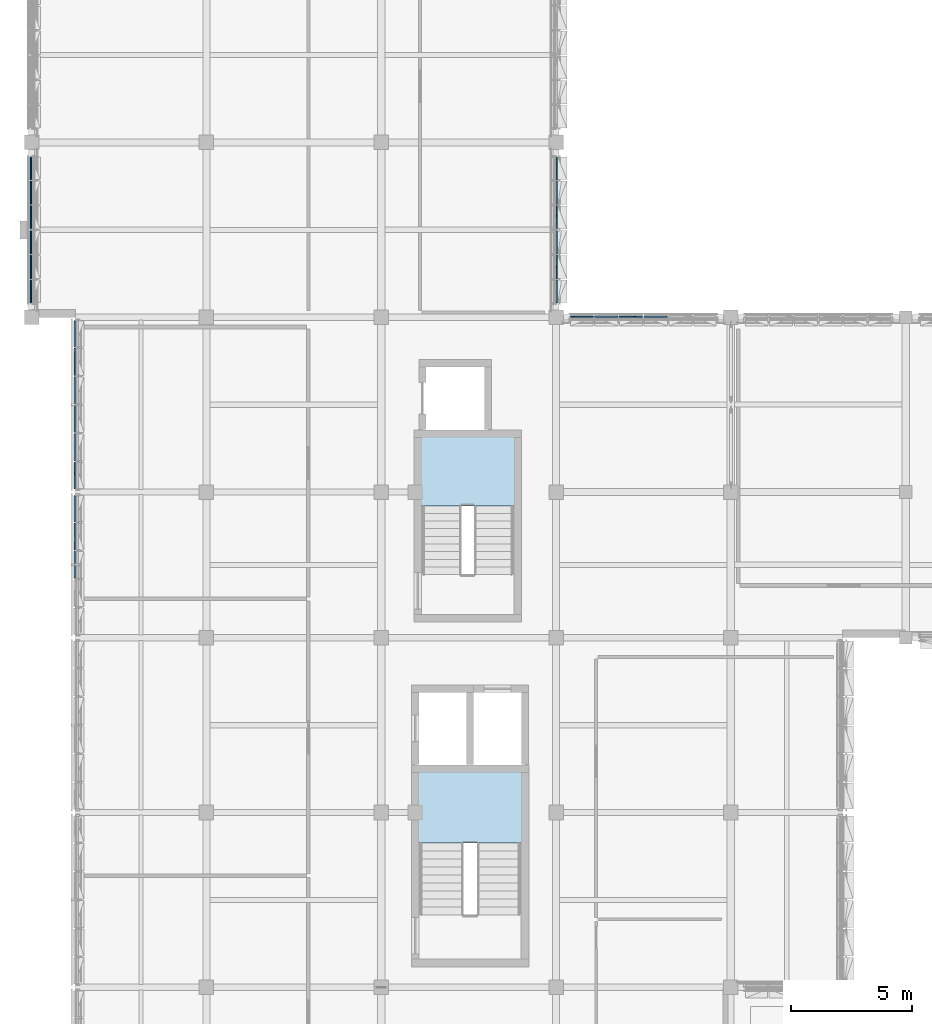
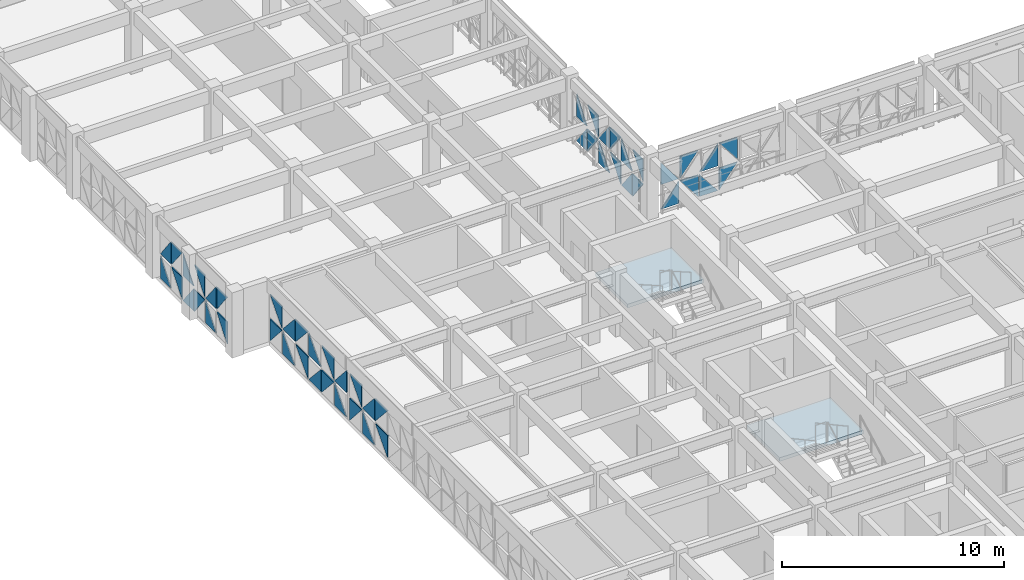
# One storey, part 27 of 74: 50 plates, 2 slabs, 7 elements without a shape of their own.
"""IFC4 building model written with IfcOpenShell, lengths in metres."""

import ifcopenshell
import ifcopenshell.guid

model = None  # the IFC model being written
_history = None  # IfcOwnerHistory: only IFC2X3 demands one
_inside = {}  # id of a spatial element -> (the spatial element, [elements in it])
_under = {}  # id of a project, library or spatial element -> (it, [spatial elements below it])
_declared = {}  # id of a project -> (the project, [libraries it declares])
_typed = {}  # id of a type object -> (the type object, [elements of that type])
_made_of = {}  # id of a material, layer set ... -> (it, [elements and type objects made of it])


def new_model(schema):
    """Start an empty IFC model of exactly this schema.

    Asked for "IFC4X3", IfcOpenShell would pick the latest addendum, in which some entities
    have other attributes; the version numbers below select the first issue.
    IFC2X3 requires an IfcOwnerHistory on every rooted entity: one is made here for all.
    """
    global model, _history
    if schema == "IFC4X3":
        model = ifcopenshell.file(schema_version=(4, 3, 0, 0))
    else:
        model = ifcopenshell.file(schema=schema)
    _inside.clear()
    _under.clear()
    _declared.clear()
    _typed.clear()
    _made_of.clear()
    _history = None
    if model.schema == "IFC2X3":
        org = make("IfcOrganization", Name="unknown")
        user = make(
            "IfcPersonAndOrganization",
            ThePerson=make("IfcPerson", FamilyName="unknown"),
            TheOrganization=org,
        )
        app = make(
            "IfcApplication",
            ApplicationDeveloper=org,
            Version="unknown",
            ApplicationFullName="unknown",
            ApplicationIdentifier="unknown",
        )
        _history = make(
            "IfcOwnerHistory",
            OwningUser=user,
            OwningApplication=app,
            ChangeAction="ADDED",
            CreationDate=0,
        )
    return model


def make(cls, **values):
    """One entity of the class cls with the attributes given. An attribute that is None is left unset."""
    return model.create_entity(
        cls, **{name: value for name, value in values.items() if value is not None}
    )


def rooted(cls, **values):
    """An entity with a GlobalId (a new one), such as an element, a storey or a relation."""
    return make(cls, GlobalId=ifcopenshell.guid.new(), OwnerHistory=_history, **values)


def si_unit(unit_type, name, prefix=None):
    """IfcSIUnit, for example si_unit("LENGTHUNIT", "METRE", prefix="MILLI")."""
    return make("IfcSIUnit", UnitType=unit_type, Prefix=prefix, Name=name)


def assignment(units):
    """IfcUnitAssignment: the units of a project."""
    return None if units is None else make("IfcUnitAssignment", Units=units)


def point(xyz):
    """IfcCartesianPoint."""
    return None if xyz is None else make("IfcCartesianPoint", Coordinates=xyz)


def direction(xyz):
    """IfcDirection."""
    return None if xyz is None else make("IfcDirection", DirectionRatios=xyz)


def frame(location, z_axis=None, x_axis=None):
    """IfcAxis2Placement3D, a coordinate frame: its origin and axes. An axis left out is left unset."""
    return make(
        "IfcAxis2Placement3D",
        Location=point(location),
        Axis=direction(z_axis),
        RefDirection=direction(x_axis),
    )


def origin():
    """The frame at (0, 0, 0) with its axes left unset."""
    return frame((0.0, 0.0, 0.0))


def place(relative_to, where):
    """IfcLocalPlacement: puts the frame where relative to a parent placement (None: the world)."""
    return make(
        "IfcLocalPlacement", PlacementRelTo=relative_to, RelativePlacement=where
    )


def context(
    kind, dimensions, precision=None, world=None, true_north=None, identifier=None
):
    """IfcGeometricRepresentationContext, for example the 3D "Model" context."""
    return make(
        "IfcGeometricRepresentationContext",
        ContextIdentifier=identifier,
        ContextType=kind,
        CoordinateSpaceDimension=dimensions,
        Precision=precision,
        WorldCoordinateSystem=world,
        TrueNorth=true_north,
    )


def subcontext(parent, identifier, kind, view, scale=None):
    """IfcGeometricRepresentationSubContext, for example "Body" below "Model"."""
    return make(
        "IfcGeometricRepresentationSubContext",
        ContextIdentifier=identifier,
        ContextType=kind,
        ParentContext=parent,
        TargetScale=scale,
        TargetView=view,
    )


def project(units=None, contexts=None):
    """IfcProject with its units and contexts."""
    return rooted(
        "IfcProject",
        Name="project",
        RepresentationContexts=contexts,
        UnitsInContext=assignment(units),
    )


def spatial(cls, under=None, at=None, **own):
    """A site, building, storey or space (cls), placed at a placement, below another one or the project."""
    s = rooted(cls, ObjectPlacement=at, **own)
    if under is not None:
        _under.setdefault(under.id(), (under, []))[1].append(s)
    return s


def polyline(points):
    """IfcPolyline through the points."""
    return make("IfcPolyline", Points=[point(p) for p in points])


def outline(outer, holes=None, kind="AREA"):
    """IfcArbitraryClosedProfileDef: a profile drawn as a closed curve; with holes, ...WithVoids."""
    if holes is None:
        return make("IfcArbitraryClosedProfileDef", ProfileType=kind, OuterCurve=outer)
    return make(
        "IfcArbitraryProfileDefWithVoids",
        ProfileType=kind,
        OuterCurve=outer,
        InnerCurves=holes,
    )


def extrude(swept, where, along, depth):
    """IfcExtrudedAreaSolid: the profile swept, set in the frame where, extruded along a direction by depth."""
    return make(
        "IfcExtrudedAreaSolid",
        SweptArea=swept,
        Position=where,
        ExtrudedDirection=direction(along),
        Depth=depth,
    )


def shape(context_of_items, identifier, shape_type, items):
    """IfcShapeRepresentation: the items that make up one representation, for example the "Body"."""
    return make(
        "IfcShapeRepresentation",
        ContextOfItems=context_of_items,
        RepresentationIdentifier=identifier,
        RepresentationType=shape_type,
        Items=items,
    )


def material(Name=None, Category=None):
    """IfcMaterial."""
    return make("IfcMaterial", Name=Name, Category=Category)


def layer(
    of_material, thickness, ventilated=None, Name=None, Category=None, Priority=None
):
    """IfcMaterialLayer: one layer of a wall or slab, of a material (None: an air gap)."""
    return make(
        "IfcMaterialLayer",
        Material=of_material,
        LayerThickness=thickness,
        IsVentilated=ventilated,
        Name=Name,
        Category=Category,
        Priority=Priority,
    )


def layer_set(layers, Name=None):
    """IfcMaterialLayerSet."""
    return make("IfcMaterialLayerSet", MaterialLayers=layers, LayerSetName=Name)


def made_of(thing, what):
    """Note that an element or type object is made of a material, layer set ...; save() writes the relation."""
    if what is not None:
        _made_of.setdefault(what.id(), (what, []))[1].append(thing)
    return thing


def type_object(cls, material=None, **own):
    """A type object (cls), such as IfcWallType, which elements share."""
    return made_of(rooted(cls, **own), material)


def element(
    cls,
    number,
    at=None,
    inside=None,
    cuts=None,
    type_object=None,
    material=None,
    context=None,
    identifier="Body",
    shape_type=None,
    held_by="IfcProductDefinitionShape",
    body=None,
    shapes=None,
    **own,
):
    """One element of the class cls, such as IfcWall. Its Tag is "e" and its number.

    at: its placement. inside: the storey or other place that contains it. cuts: it is an
    opening in that element (IfcRelVoidsElement). A single representation is given by context,
    identifier, shape_type and body (its items); several are given by shapes. held_by: the class
    of the entity that holds the representations. save() writes the other relations.
    """
    e = rooted(cls, Tag="e%d" % number, ObjectPlacement=at, **own)
    if body is not None:
        shapes = [shape(context, identifier, shape_type, body)]
    if shapes is not None:
        e.Representation = make(held_by, Representations=shapes)
    if inside is not None:
        _inside.setdefault(inside.id(), (inside, []))[1].append(e)
    if cuts is not None:
        rooted(
            "IfcRelVoidsElement", RelatingBuildingElement=cuts, RelatedOpeningElement=e
        )
    if type_object is not None:
        _typed.setdefault(type_object.id(), (type_object, []))[1].append(e)
    return made_of(e, material)


def aggregate(whole, parts):
    """IfcRelAggregates: a whole, such as a stair, and the parts it consists of."""
    return rooted("IfcRelAggregates", RelatingObject=whole, RelatedObjects=parts)


def save(model, path):
    """Write the relations noted so far, then the file.

    IfcRelAggregates (storeys below a building ...), IfcRelContainedInSpatialStructure (elements
    in a storey), IfcRelDefinesByType, IfcRelAssociatesMaterial and IfcRelDeclares: one each for
    every whole, place, type object, material and project.
    """
    for whole, parts in _under.values():
        aggregate(whole, parts)
    for where, things in _inside.values():
        rooted(
            "IfcRelContainedInSpatialStructure",
            RelatedElements=things,
            RelatingStructure=where,
        )
    for kind, things in _typed.values():
        rooted("IfcRelDefinesByType", RelatedObjects=things, RelatingType=kind)
    for what, things in _made_of.values():
        rooted("IfcRelAssociatesMaterial", RelatedObjects=things, RelatingMaterial=what)
    for by, libraries in _declared.values():
        rooted("IfcRelDeclares", RelatingContext=by, RelatedDefinitions=libraries)
    model.write(path)


model = new_model("IFC4")

# Units and contexts
model_context = context("Model", 3, precision=1e-05, world=origin(), true_north=direction((0.0, 1.0)))
body_context = subcontext(model_context, "Body", "Model", "MODEL_VIEW")
ifc_project = project(units=[si_unit("LENGTHUNIT", "METRE"), si_unit("AREAUNIT", "SQUARE_METRE"), si_unit("VOLUMEUNIT", "CUBIC_METRE"), si_unit("PLANEANGLEUNIT", "RADIAN"), si_unit("MASSUNIT", "GRAM", prefix="KILO")], contexts=[model_context])

# Site, building, storey
site_placement = place(None, origin())
site = spatial("IfcSite", under=ifc_project, at=site_placement, CompositionType="ELEMENT")
building_placement = place(site_placement, origin())
building = spatial("IfcBuilding", under=site, at=building_placement, Name="Alvorim Cloister Faculty of Sciences", CompositionType="ELEMENT")
storey_placement = place(building_placement, frame((0.0, 0.0, 15.75)))
storey = spatial("IfcBuildingStorey", under=building, at=storey_placement, Name="L04", CompositionType="ELEMENT", Elevation=15.75)

# Curtain wall, plates
ifc_material_1 = material(Name="Aluminium and Low-E Glass Curtain Wall", Category="aluminium")
curtain_wall_type_1 = type_object("IfcCurtainWallType", Name="CW-TRI-5840x2857", PredefinedType="USERDEFINED", material=ifc_material_1)
curtain_wall_1_placement = place(storey_placement, origin())
curtain_wall_1 = element("IfcCurtainWall", 1, at=curtain_wall_1_placement, inside=storey, type_object=curtain_wall_type_1, Name="L04 Diagonal Cassette Curtain Wall CW-0168", ObjectType="UNITISED CURTAIN WALL", PredefinedType="USERDEFINED")
ifc_material_2 = material(Name="Double Low-E Laminated Glass", Category="glass")
ifc_layer_1 = layer(ifc_material_2, 0.0400390625)
ifc_layer_set_1 = layer_set([ifc_layer_1], Name="Double Low-E Laminated Glass")
plate_type = type_object("IfcPlateType", Name="PN-GLZ-40", PredefinedType="CURTAIN_PANEL", material=ifc_layer_set_1)
plate_1_placement = place(storey_placement, frame((1.77490234375, 45.6484375, 0.139892578125), z_axis=(0.0, 0.0, 1.0), x_axis=(0.0, 1.0, 0.0)))
plate_1 = element("IfcPlate", 2, at=plate_1_placement, type_object=plate_type, Name="Diagonal Glazed Triangle TRI-TL", PredefinedType="CURTAIN_PANEL", context=body_context, shape_type="SweptSolid", body=[
    extrude(outline(polyline([(1.10107421875, 1.218505859375), (0.0, 1.218505859375), (0.0, 0.001953125), (1.10107421875, 1.218505859375)])), frame((0.0, 0.02490234375, 0.0), z_axis=(0.0, -1.0, 0.0), x_axis=(1.0, 0.0, 0.0)), (0.0, 0.0, 1.0), 0.050048828125),
])
plate_2_placement = place(storey_placement, frame((1.77490234375, 45.6484375, 1.49853515625), z_axis=(0.0, 0.0, 1.0), x_axis=(0.0, 1.0, 0.0)))
plate_2 = element("IfcPlate", 3, at=plate_2_placement, type_object=plate_type, Name="Diagonal Glazed Triangle TRI-TR", PredefinedType="CURTAIN_PANEL", context=body_context, shape_type="SweptSolid", body=[
    extrude(outline(polyline([(1.10302734375, 0.001953125), (1.10302734375, 1.218505859375), (0.001953125, 1.218505859375), (1.10302734375, 0.001953125)])), frame((0.0, 0.02490234375, 0.0), z_axis=(0.0, -1.0, 0.0), x_axis=(1.0, 0.0, 0.0)), (0.0, 0.0, 1.0), 0.050048828125),
])
plate_3_placement = place(storey_placement, frame((1.77490234375, 46.81640625, 0.139892578125), z_axis=(0.0, 0.0, 1.0), x_axis=(0.0, 1.0, 0.0)))
plate_3 = element("IfcPlate", 4, at=plate_3_placement, type_object=plate_type, Name="Diagonal Glazed Triangle TRI-BR", PredefinedType="CURTAIN_PANEL", context=body_context, shape_type="SweptSolid", body=[
    extrude(outline(polyline([(0.001953125, 0.0), (1.10302734375, 0.0), (1.10302734375, 1.216552734375), (0.001953125, 0.0)])), frame((0.0, 0.02490234375, 0.0), z_axis=(0.0, -1.0, 0.0), x_axis=(1.0, 0.0, 0.0)), (0.0, 0.0, 1.0), 0.050048828125),
])
plate_4_placement = place(storey_placement, frame((1.77490234375, 46.81640625, 1.49853515625), z_axis=(0.0, 0.0, 1.0), x_axis=(0.0, 1.0, 0.0)))
plate_4 = element("IfcPlate", 5, at=plate_4_placement, type_object=plate_type, Name="Diagonal Glazed Triangle TRI-BL", PredefinedType="CURTAIN_PANEL", context=body_context, shape_type="SweptSolid", body=[
    extrude(outline(polyline([(0.0, 0.0), (1.10107421875, 0.0), (0.0, 1.216552734375), (0.0, 0.0)])), frame((0.0, 0.02490234375, 0.0), z_axis=(0.0, -1.0, 0.0), x_axis=(1.0, 0.0, 0.0)), (0.0, 0.0, 1.0), 0.050048828125),
])
plate_5_placement = place(storey_placement, frame((1.77490234375, 47.984619140625, 0.139892578125), z_axis=(0.0, 0.0, 1.0), x_axis=(0.0, 1.0, 0.0)))
plate_5 = element("IfcPlate", 6, at=plate_5_placement, type_object=plate_type, Name="Diagonal Glazed Triangle TRI-TR", PredefinedType="CURTAIN_PANEL", context=body_context, shape_type="SweptSolid", body=[
    extrude(outline(polyline([(1.070556640625, 0.001953125), (1.070556640625, 1.218505859375), (0.001953125, 1.218505859375), (1.070556640625, 0.001953125)])), frame((0.0, 0.02490234375, 0.0), z_axis=(0.0, -1.0, 0.0), x_axis=(1.0, 0.0, 0.0)), (0.0, 0.0, 1.0), 0.050048828125),
])
plate_6_placement = place(storey_placement, frame((1.77490234375, 47.984619140625, 1.49853515625), z_axis=(0.0, 0.0, 1.0), x_axis=(0.0, 1.0, 0.0)))
plate_6 = element("IfcPlate", 7, at=plate_6_placement, type_object=plate_type, Name="Diagonal Glazed Triangle TRI-TL", PredefinedType="CURTAIN_PANEL", context=body_context, shape_type="SweptSolid", body=[
    extrude(outline(polyline([(1.068603515625, 1.218505859375), (0.0, 1.218505859375), (0.0, 0.001953125), (1.068603515625, 1.218505859375)])), frame((0.0, 0.02490234375, 0.0), z_axis=(0.0, -1.0, 0.0), x_axis=(1.0, 0.0, 0.0)), (0.0, 0.0, 1.0), 0.050048828125),
])
aggregate(curtain_wall_1, [plate_1, plate_2, plate_3, plate_4, plate_5, plate_6])

curtain_wall_type_2 = type_object("IfcCurtainWallType", Name="CW-TRI-7040x2857", PredefinedType="USERDEFINED", material=ifc_material_1)
curtain_wall_2_placement = place(storey_placement, origin())
curtain_wall_2 = element("IfcCurtainWall", 8, at=curtain_wall_2_placement, inside=storey, type_object=curtain_wall_type_2, Name="L04 Diagonal Cassette Curtain Wall CW-0169", ObjectType="UNITISED CURTAIN WALL", PredefinedType="USERDEFINED")
plate_7_placement = place(storey_placement, frame((1.77490234375, 49.344970703125, 0.139892578125), z_axis=(0.0, 0.0, 1.0), x_axis=(0.0, 1.0, 0.0)))
plate_7 = element("IfcPlate", 9, at=plate_7_placement, type_object=plate_type, Name="Diagonal Glazed Triangle TRI-BR", PredefinedType="CURTAIN_PANEL", context=body_context, shape_type="SweptSolid", body=[
    extrude(outline(polyline([(0.001953125, 0.0), (1.075927734375, 0.0), (1.075927734375, 1.216552734375), (0.001953125, 0.0)])), frame((0.0, 0.02490234375, 0.0), z_axis=(0.0, -1.0, 0.0), x_axis=(1.0, 0.0, 0.0)), (0.0, 0.0, 1.0), 0.050048828125),
])
plate_8_placement = place(storey_placement, frame((1.77490234375, 49.344970703125, 1.49853515625), z_axis=(0.0, 0.0, 1.0), x_axis=(0.0, 1.0, 0.0)))
plate_8 = element("IfcPlate", 10, at=plate_8_placement, type_object=plate_type, Name="Diagonal Glazed Triangle TRI-BL", PredefinedType="CURTAIN_PANEL", context=body_context, shape_type="SweptSolid", body=[
    extrude(outline(polyline([(0.0, 0.0), (1.073974609375, 0.0), (0.0, 1.216552734375), (0.0, 0.0)])), frame((0.0, 0.02490234375, 0.0), z_axis=(0.0, -1.0, 0.0), x_axis=(1.0, 0.0, 0.0)), (0.0, 0.0, 1.0), 0.050048828125),
])
plate_9_placement = place(storey_placement, frame((1.77490234375, 50.48583984375, 0.139892578125), z_axis=(0.0, 0.0, 1.0), x_axis=(0.0, 1.0, 0.0)))
plate_9 = element("IfcPlate", 11, at=plate_9_placement, type_object=plate_type, Name="Diagonal Glazed Triangle TRI-TR", PredefinedType="CURTAIN_PANEL", context=body_context, shape_type="SweptSolid", body=[
    extrude(outline(polyline([(1.1083984375, 0.001953125), (1.1083984375, 1.218505859375), (0.001953125, 1.218505859375), (1.1083984375, 0.001953125)])), frame((0.0, 0.02490234375, 0.0), z_axis=(0.0, -1.0, 0.0), x_axis=(1.0, 0.0, 0.0)), (0.0, 0.0, 1.0), 0.050048828125),
])
plate_10_placement = place(storey_placement, frame((1.77490234375, 50.48583984375, 1.49853515625), z_axis=(0.0, 0.0, 1.0), x_axis=(0.0, 1.0, 0.0)))
plate_10 = element("IfcPlate", 12, at=plate_10_placement, type_object=plate_type, Name="Diagonal Glazed Triangle TRI-TL", PredefinedType="CURTAIN_PANEL", context=body_context, shape_type="SweptSolid", body=[
    extrude(outline(polyline([(1.1064453125, 1.218505859375), (0.0, 1.218505859375), (0.0, 0.001953125), (1.1064453125, 1.218505859375)])), frame((0.0, 0.02490234375, 0.0), z_axis=(0.0, -1.0, 0.0), x_axis=(1.0, 0.0, 0.0)), (0.0, 0.0, 1.0), 0.050048828125),
])
plate_11_placement = place(storey_placement, frame((1.77490234375, 51.6591796875, 0.139892578125), z_axis=(0.0, 0.0, 1.0), x_axis=(0.0, 1.0, 0.0)))
plate_11 = element("IfcPlate", 13, at=plate_11_placement, type_object=plate_type, Name="Diagonal Glazed Triangle TRI-BL", PredefinedType="CURTAIN_PANEL", context=body_context, shape_type="SweptSolid", body=[
    extrude(outline(polyline([(0.0, 0.0), (1.1064453125, 0.0), (0.0, 1.216552734375), (0.0, 0.0)])), frame((0.0, 0.02490234375, 0.0), z_axis=(0.0, -1.0, 0.0), x_axis=(1.0, 0.0, 0.0)), (0.0, 0.0, 1.0), 0.050048828125),
])
plate_12_placement = place(storey_placement, frame((1.77490234375, 51.6591796875, 1.49853515625), z_axis=(0.0, 0.0, 1.0), x_axis=(0.0, 1.0, 0.0)))
plate_12 = element("IfcPlate", 14, at=plate_12_placement, type_object=plate_type, Name="Diagonal Glazed Triangle TRI-BR", PredefinedType="CURTAIN_PANEL", context=body_context, shape_type="SweptSolid", body=[
    extrude(outline(polyline([(0.001953125, 0.0), (1.1083984375, 0.0), (1.1083984375, 1.216552734375), (0.001953125, 0.0)])), frame((0.0, 0.02490234375, 0.0), z_axis=(0.0, -1.0, 0.0), x_axis=(1.0, 0.0, 0.0)), (0.0, 0.0, 1.0), 0.050048828125),
])
plate_13_placement = place(storey_placement, frame((1.77490234375, 52.83251953125, 0.139892578125), z_axis=(0.0, 0.0, 1.0), x_axis=(0.0, 1.0, 0.0)))
plate_13 = element("IfcPlate", 15, at=plate_13_placement, type_object=plate_type, Name="Diagonal Glazed Triangle TRI-TL", PredefinedType="CURTAIN_PANEL", context=body_context, shape_type="SweptSolid", body=[
    extrude(outline(polyline([(1.1064453125, 1.218505859375), (0.0, 1.218505859375), (0.0, 0.001953125), (1.1064453125, 1.218505859375)])), frame((0.0, 0.02490234375, 0.0), z_axis=(0.0, -1.0, 0.0), x_axis=(1.0, 0.0, 0.0)), (0.0, 0.0, 1.0), 0.050048828125),
])
plate_14_placement = place(storey_placement, frame((1.77490234375, 52.83251953125, 1.49853515625), z_axis=(0.0, 0.0, 1.0), x_axis=(0.0, 1.0, 0.0)))
plate_14 = element("IfcPlate", 16, at=plate_14_placement, type_object=plate_type, Name="Diagonal Glazed Triangle TRI-TR", PredefinedType="CURTAIN_PANEL", context=body_context, shape_type="SweptSolid", body=[
    extrude(outline(polyline([(1.1083984375, 0.001953125), (1.1083984375, 1.218505859375), (0.001953125, 1.218505859375), (1.1083984375, 0.001953125)])), frame((0.0, 0.02490234375, 0.0), z_axis=(0.0, -1.0, 0.0), x_axis=(1.0, 0.0, 0.0)), (0.0, 0.0, 1.0), 0.050048828125),
])
plate_15_placement = place(storey_placement, frame((1.77490234375, 54.005859375, 0.139892578125), z_axis=(0.0, 0.0, 1.0), x_axis=(0.0, 1.0, 0.0)))
plate_15 = element("IfcPlate", 17, at=plate_15_placement, type_object=plate_type, Name="Diagonal Glazed Triangle TRI-BR", PredefinedType="CURTAIN_PANEL", context=body_context, shape_type="SweptSolid", body=[
    extrude(outline(polyline([(0.001953125, 0.0), (1.1083984375, 0.0), (1.1083984375, 1.216552734375), (0.001953125, 0.0)])), frame((0.0, 0.02490234375, 0.0), z_axis=(0.0, -1.0, 0.0), x_axis=(1.0, 0.0, 0.0)), (0.0, 0.0, 1.0), 0.050048828125),
])
plate_16_placement = place(storey_placement, frame((1.77490234375, 54.005859375, 1.49853515625), z_axis=(0.0, 0.0, 1.0), x_axis=(0.0, 1.0, 0.0)))
plate_16 = element("IfcPlate", 18, at=plate_16_placement, type_object=plate_type, Name="Diagonal Glazed Triangle TRI-BL", PredefinedType="CURTAIN_PANEL", context=body_context, shape_type="SweptSolid", body=[
    extrude(outline(polyline([(0.0, 0.0), (1.1064453125, 0.0), (0.0, 1.216552734375), (0.0, 0.0)])), frame((0.0, 0.02490234375, 0.0), z_axis=(0.0, -1.0, 0.0), x_axis=(1.0, 0.0, 0.0)), (0.0, 0.0, 1.0), 0.050048828125),
])
plate_17_placement = place(storey_placement, frame((1.77490234375, 55.17919921875, 0.139892578125), z_axis=(0.0, 0.0, 1.0), x_axis=(0.0, 1.0, 0.0)))
plate_17 = element("IfcPlate", 19, at=plate_17_placement, type_object=plate_type, Name="Diagonal Glazed Triangle TRI-TR", PredefinedType="CURTAIN_PANEL", context=body_context, shape_type="SweptSolid", body=[
    extrude(outline(polyline([(1.075927734375, 0.001953125), (1.075927734375, 1.218505859375), (0.001953125, 1.218505859375), (1.075927734375, 0.001953125)])), frame((0.0, 0.02490234375, 0.0), z_axis=(0.0, -1.0, 0.0), x_axis=(1.0, 0.0, 0.0)), (0.0, 0.0, 1.0), 0.050048828125),
])
plate_18_placement = place(storey_placement, frame((1.77490234375, 55.17919921875, 1.49853515625), z_axis=(0.0, 0.0, 1.0), x_axis=(0.0, 1.0, 0.0)))
plate_18 = element("IfcPlate", 20, at=plate_18_placement, type_object=plate_type, Name="Diagonal Glazed Triangle TRI-TL", PredefinedType="CURTAIN_PANEL", context=body_context, shape_type="SweptSolid", body=[
    extrude(outline(polyline([(1.073974609375, 1.218505859375), (0.0, 1.218505859375), (0.0, 0.001953125), (1.073974609375, 1.218505859375)])), frame((0.0, 0.02490234375, 0.0), z_axis=(0.0, -1.0, 0.0), x_axis=(1.0, 0.0, 0.0)), (0.0, 0.0, 1.0), 0.050048828125),
])
aggregate(curtain_wall_2, [plate_7, plate_8, plate_9, plate_10, plate_11, plate_12, plate_13, plate_14, plate_15, plate_16, plate_17, plate_18])

curtain_wall_type_3 = type_object("IfcCurtainWallType", Name="CW-TRI-6120x2850", PredefinedType="USERDEFINED", material=ifc_material_1)
curtain_wall_3_placement = place(storey_placement, origin())
curtain_wall_3 = element("IfcCurtainWall", 21, at=curtain_wall_3_placement, inside=storey, type_object=curtain_wall_type_3, Name="L04 Diagonal Cassette Curtain Wall CW-0170", ObjectType="UNITISED CURTAIN WALL", PredefinedType="USERDEFINED")
plate_19_placement = place(storey_placement, frame((-0.02490234375, 57.0048828125, 0.139892578125), z_axis=(0.0, 0.0, 1.0), x_axis=(0.0, 1.0, 0.0)))
plate_19 = element("IfcPlate", 22, at=plate_19_placement, type_object=plate_type, Name="Diagonal Glazed Triangle TRI-TL", PredefinedType="CURTAIN_PANEL", context=body_context, shape_type="SweptSolid", body=[
    extrude(outline(polyline([(0.920654296875, 1.215087890625), (0.0, 1.215087890625), (0.0, 0.001953125), (0.920654296875, 1.215087890625)])), frame((0.0, 0.02490234375, 0.0), z_axis=(0.0, -1.0, 0.0), x_axis=(1.0, 0.0, 0.0)), (0.0, 0.0, 1.0), 0.050048828125),
])
plate_20_placement = place(storey_placement, frame((-0.02490234375, 57.0048828125, 1.4951171875), z_axis=(0.0, 0.0, 1.0), x_axis=(0.0, 1.0, 0.0)))
plate_20 = element("IfcPlate", 23, at=plate_20_placement, type_object=plate_type, Name="Diagonal Glazed Triangle TRI-TR", PredefinedType="CURTAIN_PANEL", context=body_context, shape_type="SweptSolid", body=[
    extrude(outline(polyline([(0.922607421875, 0.001953125), (0.922607421875, 1.21484375), (0.001953125, 1.21484375), (0.922607421875, 0.001953125)])), frame((0.0, 0.02490234375, 0.0), z_axis=(0.0, -1.0, 0.0), x_axis=(1.0, 0.0, 0.0)), (0.0, 0.0, 1.0), 0.050048828125),
])
plate_21_placement = place(storey_placement, frame((-0.02490234375, 57.992431640625, 0.139892578125), z_axis=(0.0, 0.0, 1.0), x_axis=(0.0, 1.0, 0.0)))
plate_21 = element("IfcPlate", 24, at=plate_21_placement, type_object=plate_type, Name="Diagonal Glazed Triangle TRI-BR", PredefinedType="CURTAIN_PANEL", context=body_context, shape_type="SweptSolid", body=[
    extrude(outline(polyline([(0.001953125, 0.0), (0.955078125, 0.0), (0.955078125, 1.213134765625), (0.001953125, 0.0)])), frame((0.0, 0.02490234375, 0.0), z_axis=(0.0, -1.0, 0.0), x_axis=(1.0, 0.0, 0.0)), (0.0, 0.0, 1.0), 0.050048828125),
])
plate_22_placement = place(storey_placement, frame((-0.02490234375, 57.992431640625, 1.4951171875), z_axis=(0.0, 0.0, 1.0), x_axis=(0.0, 1.0, 0.0)))
plate_22 = element("IfcPlate", 25, at=plate_22_placement, type_object=plate_type, Name="Diagonal Glazed Triangle TRI-BL", PredefinedType="CURTAIN_PANEL", context=body_context, shape_type="SweptSolid", body=[
    extrude(outline(polyline([(0.0, 0.0), (0.953125, 0.0), (0.0, 1.212890625), (0.0, 0.0)])), frame((0.0, 0.02490234375, 0.0), z_axis=(0.0, -1.0, 0.0), x_axis=(1.0, 0.0, 0.0)), (0.0, 0.0, 1.0), 0.050048828125),
])
plate_23_placement = place(storey_placement, frame((-0.02490234375, 59.012451171875, 0.139892578125), z_axis=(0.0, 0.0, 1.0), x_axis=(0.0, 1.0, 0.0)))
plate_23 = element("IfcPlate", 26, at=plate_23_placement, type_object=plate_type, Name="Diagonal Glazed Triangle TRI-TR", PredefinedType="CURTAIN_PANEL", context=body_context, shape_type="SweptSolid", body=[
    extrude(outline(polyline([(0.955078125, 0.001953125), (0.955078125, 1.215087890625), (0.001953125, 1.215087890625), (0.955078125, 0.001953125)])), frame((0.0, 0.02490234375, 0.0), z_axis=(0.0, -1.0, 0.0), x_axis=(1.0, 0.0, 0.0)), (0.0, 0.0, 1.0), 0.050048828125),
])
plate_24_placement = place(storey_placement, frame((-0.02490234375, 59.012451171875, 1.4951171875), z_axis=(0.0, 0.0, 1.0), x_axis=(0.0, 1.0, 0.0)))
plate_24 = element("IfcPlate", 27, at=plate_24_placement, type_object=plate_type, Name="Diagonal Glazed Triangle TRI-TL", PredefinedType="CURTAIN_PANEL", context=body_context, shape_type="SweptSolid", body=[
    extrude(outline(polyline([(0.953125, 1.21484375), (0.0, 1.21484375), (0.0, 0.001953125), (0.953125, 1.21484375)])), frame((0.0, 0.02490234375, 0.0), z_axis=(0.0, -1.0, 0.0), x_axis=(1.0, 0.0, 0.0)), (0.0, 0.0, 1.0), 0.050048828125),
])
plate_25_placement = place(storey_placement, frame((-0.02490234375, 60.032470703125, 0.139892578125), z_axis=(0.0, 0.0, 1.0), x_axis=(0.0, 1.0, 0.0)))
plate_25 = element("IfcPlate", 28, at=plate_25_placement, type_object=plate_type, Name="Diagonal Glazed Triangle TRI-BL", PredefinedType="CURTAIN_PANEL", context=body_context, shape_type="SweptSolid", body=[
    extrude(outline(polyline([(0.0, 0.0), (0.953125, 0.0), (0.0, 1.213134765625), (0.0, 0.0)])), frame((0.0, 0.02490234375, 0.0), z_axis=(0.0, -1.0, 0.0), x_axis=(1.0, 0.0, 0.0)), (0.0, 0.0, 1.0), 0.050048828125),
])
plate_26_placement = place(storey_placement, frame((-0.02490234375, 60.032470703125, 1.4951171875), z_axis=(0.0, 0.0, 1.0), x_axis=(0.0, 1.0, 0.0)))
plate_26 = element("IfcPlate", 29, at=plate_26_placement, type_object=plate_type, Name="Diagonal Glazed Triangle TRI-BR", PredefinedType="CURTAIN_PANEL", context=body_context, shape_type="SweptSolid", body=[
    extrude(outline(polyline([(0.001953125, 0.0), (0.955078125, 0.0), (0.955078125, 1.212890625), (0.001953125, 0.0)])), frame((0.0, 0.02490234375, 0.0), z_axis=(0.0, -1.0, 0.0), x_axis=(1.0, 0.0, 0.0)), (0.0, 0.0, 1.0), 0.050048828125),
])
plate_27_placement = place(storey_placement, frame((-0.02490234375, 61.052490234375, 0.139892578125), z_axis=(0.0, 0.0, 1.0), x_axis=(0.0, 1.0, 0.0)))
plate_27 = element("IfcPlate", 30, at=plate_27_placement, type_object=plate_type, Name="Diagonal Glazed Triangle TRI-TL", PredefinedType="CURTAIN_PANEL", context=body_context, shape_type="SweptSolid", body=[
    extrude(outline(polyline([(0.953125, 1.215087890625), (0.0, 1.215087890625), (0.0, 0.001953125), (0.953125, 1.215087890625)])), frame((0.0, 0.02490234375, 0.0), z_axis=(0.0, -1.0, 0.0), x_axis=(1.0, 0.0, 0.0)), (0.0, 0.0, 1.0), 0.050048828125),
])
plate_28_placement = place(storey_placement, frame((-0.02490234375, 61.052490234375, 1.4951171875), z_axis=(0.0, 0.0, 1.0), x_axis=(0.0, 1.0, 0.0)))
plate_28 = element("IfcPlate", 31, at=plate_28_placement, type_object=plate_type, Name="Diagonal Glazed Triangle TRI-TR", PredefinedType="CURTAIN_PANEL", context=body_context, shape_type="SweptSolid", body=[
    extrude(outline(polyline([(0.955078125, 0.001953125), (0.955078125, 1.21484375), (0.001953125, 1.21484375), (0.955078125, 0.001953125)])), frame((0.0, 0.02490234375, 0.0), z_axis=(0.0, -1.0, 0.0), x_axis=(1.0, 0.0, 0.0)), (0.0, 0.0, 1.0), 0.050048828125),
])
plate_29_placement = place(storey_placement, frame((-0.02490234375, 62.072509765625, 0.139892578125), z_axis=(0.0, 0.0, 1.0), x_axis=(0.0, 1.0, 0.0)))
plate_29 = element("IfcPlate", 32, at=plate_29_placement, type_object=plate_type, Name="Diagonal Glazed Triangle TRI-BR", PredefinedType="CURTAIN_PANEL", context=body_context, shape_type="SweptSolid", body=[
    extrude(outline(polyline([(0.001953125, 0.0), (0.922607421875, 0.0), (0.922607421875, 1.213134765625), (0.001953125, 0.0)])), frame((0.0, 0.02490234375, 0.0), z_axis=(0.0, -1.0, 0.0), x_axis=(1.0, 0.0, 0.0)), (0.0, 0.0, 1.0), 0.050048828125),
])
plate_30_placement = place(storey_placement, frame((-0.02490234375, 62.072509765625, 1.4951171875), z_axis=(0.0, 0.0, 1.0), x_axis=(0.0, 1.0, 0.0)))
plate_30 = element("IfcPlate", 33, at=plate_30_placement, type_object=plate_type, Name="Diagonal Glazed Triangle TRI-BL", PredefinedType="CURTAIN_PANEL", context=body_context, shape_type="SweptSolid", body=[
    extrude(outline(polyline([(0.0, 0.0), (0.920654296875, 0.0), (0.0, 1.212890625), (0.0, 0.0)])), frame((0.0, 0.02490234375, 0.0), z_axis=(0.0, -1.0, 0.0), x_axis=(1.0, 0.0, 0.0)), (0.0, 0.0, 1.0), 0.050048828125),
])
aggregate(curtain_wall_3, [plate_19, plate_20, plate_21, plate_22, plate_23, plate_24, plate_25, plate_26, plate_27, plate_28, plate_29, plate_30])

curtain_wall_4_placement = place(storey_placement, origin())
curtain_wall_4 = element("IfcCurtainWall", 34, at=curtain_wall_4_placement, inside=storey, type_object=curtain_wall_type_3, Name="L04 Diagonal Cassette Curtain Wall CW-0188", ObjectType="UNITISED CURTAIN WALL", PredefinedType="USERDEFINED")
plate_31_placement = place(storey_placement, frame((21.625, 57.0048828125, 0.139892578125), z_axis=(0.0, 0.0, 1.0), x_axis=(0.0, 1.0, 0.0)))
plate_31 = element("IfcPlate", 35, at=plate_31_placement, type_object=plate_type, Name="Diagonal Glazed Triangle TRI-TR", PredefinedType="CURTAIN_PANEL", context=body_context, shape_type="SweptSolid", body=[
    extrude(outline(polyline([(0.922607421875, 0.001953125), (0.922607421875, 1.215087890625), (0.001953125, 1.215087890625), (0.922607421875, 0.001953125)])), frame((0.0, 0.02490234375, 0.0), z_axis=(0.0, -1.0, 0.0), x_axis=(1.0, 0.0, 0.0)), (0.0, 0.0, 1.0), 0.050048828125),
])
plate_32_placement = place(storey_placement, frame((21.625, 57.0048828125, 1.4951171875), z_axis=(0.0, 0.0, 1.0), x_axis=(0.0, 1.0, 0.0)))
plate_32 = element("IfcPlate", 36, at=plate_32_placement, type_object=plate_type, Name="Diagonal Glazed Triangle TRI-TL", PredefinedType="CURTAIN_PANEL", context=body_context, shape_type="SweptSolid", body=[
    extrude(outline(polyline([(0.920654296875, 1.21484375), (0.0, 1.21484375), (0.0, 0.001953125), (0.920654296875, 1.21484375)])), frame((0.0, 0.02490234375, 0.0), z_axis=(0.0, -1.0, 0.0), x_axis=(1.0, 0.0, 0.0)), (0.0, 0.0, 1.0), 0.050048828125),
])
plate_33_placement = place(storey_placement, frame((21.625, 57.992431640625, 0.139892578125), z_axis=(0.0, 0.0, 1.0), x_axis=(0.0, 1.0, 0.0)))
plate_33 = element("IfcPlate", 37, at=plate_33_placement, type_object=plate_type, Name="Diagonal Glazed Triangle TRI-BL", PredefinedType="CURTAIN_PANEL", context=body_context, shape_type="SweptSolid", body=[
    extrude(outline(polyline([(0.0, 0.0), (0.953125, 0.0), (0.0, 1.213134765625), (0.0, 0.0)])), frame((0.0, 0.02490234375, 0.0), z_axis=(0.0, -1.0, 0.0), x_axis=(1.0, 0.0, 0.0)), (0.0, 0.0, 1.0), 0.050048828125),
])
plate_34_placement = place(storey_placement, frame((21.625, 57.992431640625, 1.4951171875), z_axis=(0.0, 0.0, 1.0), x_axis=(0.0, 1.0, 0.0)))
plate_34 = element("IfcPlate", 38, at=plate_34_placement, type_object=plate_type, Name="Diagonal Glazed Triangle TRI-BR", PredefinedType="CURTAIN_PANEL", context=body_context, shape_type="SweptSolid", body=[
    extrude(outline(polyline([(0.001953125, 0.0), (0.955078125, 0.0), (0.955078125, 1.212890625), (0.001953125, 0.0)])), frame((0.0, 0.02490234375, 0.0), z_axis=(0.0, -1.0, 0.0), x_axis=(1.0, 0.0, 0.0)), (0.0, 0.0, 1.0), 0.050048828125),
])
plate_35_placement = place(storey_placement, frame((21.625, 59.012451171875, 0.139892578125), z_axis=(0.0, 0.0, 1.0), x_axis=(0.0, 1.0, 0.0)))
plate_35 = element("IfcPlate", 39, at=plate_35_placement, type_object=plate_type, Name="Diagonal Glazed Triangle TRI-TL", PredefinedType="CURTAIN_PANEL", context=body_context, shape_type="SweptSolid", body=[
    extrude(outline(polyline([(0.953125, 1.215087890625), (0.0, 1.215087890625), (0.0, 0.001953125), (0.953125, 1.215087890625)])), frame((0.0, 0.02490234375, 0.0), z_axis=(0.0, -1.0, 0.0), x_axis=(1.0, 0.0, 0.0)), (0.0, 0.0, 1.0), 0.050048828125),
])
plate_36_placement = place(storey_placement, frame((21.625, 59.012451171875, 1.4951171875), z_axis=(0.0, 0.0, 1.0), x_axis=(0.0, 1.0, 0.0)))
plate_36 = element("IfcPlate", 40, at=plate_36_placement, type_object=plate_type, Name="Diagonal Glazed Triangle TRI-TR", PredefinedType="CURTAIN_PANEL", context=body_context, shape_type="SweptSolid", body=[
    extrude(outline(polyline([(0.955078125, 0.001953125), (0.955078125, 1.21484375), (0.001953125, 1.21484375), (0.955078125, 0.001953125)])), frame((0.0, 0.02490234375, 0.0), z_axis=(0.0, -1.0, 0.0), x_axis=(1.0, 0.0, 0.0)), (0.0, 0.0, 1.0), 0.050048828125),
])
plate_37_placement = place(storey_placement, frame((21.625, 60.032470703125, 0.139892578125), z_axis=(0.0, 0.0, 1.0), x_axis=(0.0, 1.0, 0.0)))
plate_37 = element("IfcPlate", 41, at=plate_37_placement, type_object=plate_type, Name="Diagonal Glazed Triangle TRI-BR", PredefinedType="CURTAIN_PANEL", context=body_context, shape_type="SweptSolid", body=[
    extrude(outline(polyline([(0.001953125, 0.0), (0.955078125, 0.0), (0.955078125, 1.213134765625), (0.001953125, 0.0)])), frame((0.0, 0.02490234375, 0.0), z_axis=(0.0, -1.0, 0.0), x_axis=(1.0, 0.0, 0.0)), (0.0, 0.0, 1.0), 0.050048828125),
])
plate_38_placement = place(storey_placement, frame((21.625, 60.032470703125, 1.4951171875), z_axis=(0.0, 0.0, 1.0), x_axis=(0.0, 1.0, 0.0)))
plate_38 = element("IfcPlate", 42, at=plate_38_placement, type_object=plate_type, Name="Diagonal Glazed Triangle TRI-BL", PredefinedType="CURTAIN_PANEL", context=body_context, shape_type="SweptSolid", body=[
    extrude(outline(polyline([(0.0, 0.0), (0.953125, 0.0), (0.0, 1.212890625), (0.0, 0.0)])), frame((0.0, 0.02490234375, 0.0), z_axis=(0.0, -1.0, 0.0), x_axis=(1.0, 0.0, 0.0)), (0.0, 0.0, 1.0), 0.050048828125),
])
plate_39_placement = place(storey_placement, frame((21.625, 61.052490234375, 0.139892578125), z_axis=(0.0, 0.0, 1.0), x_axis=(0.0, 1.0, 0.0)))
plate_39 = element("IfcPlate", 43, at=plate_39_placement, type_object=plate_type, Name="Diagonal Glazed Triangle TRI-TR", PredefinedType="CURTAIN_PANEL", context=body_context, shape_type="SweptSolid", body=[
    extrude(outline(polyline([(0.955078125, 0.001953125), (0.955078125, 1.215087890625), (0.001953125, 1.215087890625), (0.955078125, 0.001953125)])), frame((0.0, 0.02490234375, 0.0), z_axis=(0.0, -1.0, 0.0), x_axis=(1.0, 0.0, 0.0)), (0.0, 0.0, 1.0), 0.050048828125),
])
plate_40_placement = place(storey_placement, frame((21.625, 61.052490234375, 1.4951171875), z_axis=(0.0, 0.0, 1.0), x_axis=(0.0, 1.0, 0.0)))
plate_40 = element("IfcPlate", 44, at=plate_40_placement, type_object=plate_type, Name="Diagonal Glazed Triangle TRI-TL", PredefinedType="CURTAIN_PANEL", context=body_context, shape_type="SweptSolid", body=[
    extrude(outline(polyline([(0.953125, 1.21484375), (0.0, 1.21484375), (0.0, 0.001953125), (0.953125, 1.21484375)])), frame((0.0, 0.02490234375, 0.0), z_axis=(0.0, -1.0, 0.0), x_axis=(1.0, 0.0, 0.0)), (0.0, 0.0, 1.0), 0.050048828125),
])
plate_41_placement = place(storey_placement, frame((21.625, 62.072509765625, 0.139892578125), z_axis=(0.0, 0.0, 1.0), x_axis=(0.0, 1.0, 0.0)))
plate_41 = element("IfcPlate", 45, at=plate_41_placement, type_object=plate_type, Name="Diagonal Glazed Triangle TRI-BL", PredefinedType="CURTAIN_PANEL", context=body_context, shape_type="SweptSolid", body=[
    extrude(outline(polyline([(0.0, 0.0), (0.920654296875, 0.0), (0.0, 1.213134765625), (0.0, 0.0)])), frame((0.0, 0.02490234375, 0.0), z_axis=(0.0, -1.0, 0.0), x_axis=(1.0, 0.0, 0.0)), (0.0, 0.0, 1.0), 0.050048828125),
])
plate_42_placement = place(storey_placement, frame((21.625, 62.072509765625, 1.4951171875), z_axis=(0.0, 0.0, 1.0), x_axis=(0.0, 1.0, 0.0)))
plate_42 = element("IfcPlate", 46, at=plate_42_placement, type_object=plate_type, Name="Diagonal Glazed Triangle TRI-BR", PredefinedType="CURTAIN_PANEL", context=body_context, shape_type="SweptSolid", body=[
    extrude(outline(polyline([(0.001953125, 0.0), (0.922607421875, 0.0), (0.922607421875, 1.212890625), (0.001953125, 0.0)])), frame((0.0, 0.02490234375, 0.0), z_axis=(0.0, -1.0, 0.0), x_axis=(1.0, 0.0, 0.0)), (0.0, 0.0, 1.0), 0.050048828125),
])
aggregate(curtain_wall_4, [plate_31, plate_32, plate_33, plate_34, plate_35, plate_36, plate_37, plate_38, plate_39, plate_40, plate_41, plate_42])

curtain_wall_5_placement = place(storey_placement, origin())
curtain_wall_5 = element("IfcCurtainWall", 47, at=curtain_wall_5_placement, inside=storey, type_object=curtain_wall_type_3, Name="L04 Diagonal Cassette Curtain Wall CW-0189", ObjectType="UNITISED CURTAIN WALL", PredefinedType="USERDEFINED")
plate_43_placement = place(storey_placement, frame((22.205078125, 56.425048828125, 0.139892578125), z_axis=(0.0, 0.0, 1.0), x_axis=(1.0, 0.0, 0.0)))
plate_43 = element("IfcPlate", 48, at=plate_43_placement, type_object=plate_type, Name="Diagonal Glazed Triangle TRI-BR", PredefinedType="CURTAIN_PANEL", context=body_context, shape_type="SweptSolid", body=[
    extrude(outline(polyline([(0.001953125, 0.0), (0.922607421875, 0.0), (0.922607421875, 1.213134765625), (0.001953125, 0.0)])), frame((0.0, 0.02490234375, 0.0), z_axis=(0.0, -1.0, 0.0), x_axis=(1.0, 0.0, 0.0)), (0.0, 0.0, 1.0), 0.050048828125),
])
plate_44_placement = place(storey_placement, frame((22.205078125, 56.425048828125, 1.4951171875), z_axis=(0.0, 0.0, 1.0), x_axis=(1.0, 0.0, 0.0)))
plate_44 = element("IfcPlate", 49, at=plate_44_placement, type_object=plate_type, Name="Diagonal Glazed Triangle TRI-BL", PredefinedType="CURTAIN_PANEL", context=body_context, shape_type="SweptSolid", body=[
    extrude(outline(polyline([(0.0, 0.0), (0.920654296875, 0.0), (0.0, 1.212890625), (0.0, 0.0)])), frame((0.0, 0.02490234375, 0.0), z_axis=(0.0, -1.0, 0.0), x_axis=(1.0, 0.0, 0.0)), (0.0, 0.0, 1.0), 0.050048828125),
])
plate_45_placement = place(storey_placement, frame((23.1923828125, 56.425048828125, 0.139892578125), z_axis=(0.0, 0.0, 1.0), x_axis=(1.0, 0.0, 0.0)))
plate_45 = element("IfcPlate", 50, at=plate_45_placement, type_object=plate_type, Name="Diagonal Glazed Triangle TRI-TR", PredefinedType="CURTAIN_PANEL", context=body_context, shape_type="SweptSolid", body=[
    extrude(outline(polyline([(0.955078125, 0.001953125), (0.955078125, 1.215087890625), (0.001953125, 1.215087890625), (0.955078125, 0.001953125)])), frame((0.0, 0.02490234375, 0.0), z_axis=(0.0, -1.0, 0.0), x_axis=(1.0, 0.0, 0.0)), (0.0, 0.0, 1.0), 0.050048828125),
])
plate_46_placement = place(storey_placement, frame((23.1923828125, 56.425048828125, 1.4951171875), z_axis=(0.0, 0.0, 1.0), x_axis=(1.0, 0.0, 0.0)))
plate_46 = element("IfcPlate", 51, at=plate_46_placement, type_object=plate_type, Name="Diagonal Glazed Triangle TRI-TL", PredefinedType="CURTAIN_PANEL", context=body_context, shape_type="SweptSolid", body=[
    extrude(outline(polyline([(0.953125, 1.21484375), (0.0, 1.21484375), (0.0, 0.001953125), (0.953125, 1.21484375)])), frame((0.0, 0.02490234375, 0.0), z_axis=(0.0, -1.0, 0.0), x_axis=(1.0, 0.0, 0.0)), (0.0, 0.0, 1.0), 0.050048828125),
])
plate_47_placement = place(storey_placement, frame((24.21240234375, 56.425048828125, 0.139892578125), z_axis=(0.0, 0.0, 1.0), x_axis=(1.0, 0.0, 0.0)))
plate_47 = element("IfcPlate", 52, at=plate_47_placement, type_object=plate_type, Name="Diagonal Glazed Triangle TRI-BL", PredefinedType="CURTAIN_PANEL", context=body_context, shape_type="SweptSolid", body=[
    extrude(outline(polyline([(0.0, 0.0), (0.953125, 0.0), (0.0, 1.213134765625), (0.0, 0.0)])), frame((0.0, 0.02490234375, 0.0), z_axis=(0.0, -1.0, 0.0), x_axis=(1.0, 0.0, 0.0)), (0.0, 0.0, 1.0), 0.050048828125),
])
plate_48_placement = place(storey_placement, frame((24.21240234375, 56.425048828125, 1.4951171875), z_axis=(0.0, 0.0, 1.0), x_axis=(1.0, 0.0, 0.0)))
plate_48 = element("IfcPlate", 53, at=plate_48_placement, type_object=plate_type, Name="Diagonal Glazed Triangle TRI-BR", PredefinedType="CURTAIN_PANEL", context=body_context, shape_type="SweptSolid", body=[
    extrude(outline(polyline([(0.001953125, 0.0), (0.955078125, 0.0), (0.955078125, 1.212890625), (0.001953125, 0.0)])), frame((0.0, 0.02490234375, 0.0), z_axis=(0.0, -1.0, 0.0), x_axis=(1.0, 0.0, 0.0)), (0.0, 0.0, 1.0), 0.050048828125),
])
plate_49_placement = place(storey_placement, frame((25.232421875, 56.425048828125, 0.139892578125), z_axis=(0.0, 0.0, 1.0), x_axis=(1.0, 0.0, 0.0)))
plate_49 = element("IfcPlate", 54, at=plate_49_placement, type_object=plate_type, Name="Diagonal Glazed Triangle TRI-TL", PredefinedType="CURTAIN_PANEL", context=body_context, shape_type="SweptSolid", body=[
    extrude(outline(polyline([(0.953125, 1.215087890625), (0.0, 1.215087890625), (0.0, 0.001953125), (0.953125, 1.215087890625)])), frame((0.0, 0.02490234375, 0.0), z_axis=(0.0, -1.0, 0.0), x_axis=(1.0, 0.0, 0.0)), (0.0, 0.0, 1.0), 0.050048828125),
])
plate_50_placement = place(storey_placement, frame((25.232421875, 56.425048828125, 1.4951171875), z_axis=(0.0, 0.0, 1.0), x_axis=(1.0, 0.0, 0.0)))
plate_50 = element("IfcPlate", 55, at=plate_50_placement, type_object=plate_type, Name="Diagonal Glazed Triangle TRI-TR", PredefinedType="CURTAIN_PANEL", context=body_context, shape_type="SweptSolid", body=[
    extrude(outline(polyline([(0.955078125, 0.001953125), (0.955078125, 1.21484375), (0.001953125, 1.21484375), (0.955078125, 0.001953125)])), frame((0.0, 0.02490234375, 0.0), z_axis=(0.0, -1.0, 0.0), x_axis=(1.0, 0.0, 0.0)), (0.0, 0.0, 1.0), 0.050048828125),
])
aggregate(curtain_wall_5, [plate_43, plate_44, plate_45, plate_46, plate_47, plate_48, plate_49, plate_50])

# Stair, slab
ifc_material_3 = material(Name="Concrete C40", Category="concrete")
stair_type_1 = type_object("IfcStairType", Name="STR-ST-02-1780x3600", PredefinedType="HALF_TURN_STAIR", material=ifc_material_3)
stair_1_placement = place(storey_placement, origin())
stair_1 = element("IfcStair", 56, at=stair_1_placement, inside=storey, type_object=stair_type_1, Name="L04 Enclosed Smoke-Proof Stair ST-02", PredefinedType="HALF_TURN_STAIR")
ifc_layer_2 = layer(ifc_material_3, 0.199951171875)
ifc_layer_set_2 = layer_set([ifc_layer_2], Name="Concrete C40")
slab_type = type_object("IfcSlabType", Name="SL-LAND-200", PredefinedType="LANDING", material=ifc_layer_set_2)
slab_1_placement = place(storey_placement, frame((0.0, 0.0, 1.60009765625)))
slab_1 = element("IfcSlab", 57, at=slab_1_placement, type_object=slab_type, Name="ST-02 landing 1", PredefinedType="LANDING", context=body_context, shape_type="SweptSolid", body=[
    extrude(outline(polyline([(20.239990234375, 34.75), (20.239990234375, 37.719970703125), (15.8798828125, 37.719970703125), (15.8798828125, 34.75), (20.239990234375, 34.75)])), origin(), (0.0, 0.0, 1.0), 0.199951171875),
])
aggregate(stair_1, [slab_1])

stair_type_2 = type_object("IfcStairType", Name="STR-ST-03-1600x3600", PredefinedType="HALF_TURN_STAIR", material=ifc_material_3)
stair_2_placement = place(storey_placement, origin())
stair_2 = element("IfcStair", 58, at=stair_2_placement, inside=storey, type_object=stair_type_2, Name="L04 Enclosed Smoke-Proof Stair ST-03", PredefinedType="HALF_TURN_STAIR")
slab_2_placement = place(storey_placement, frame((0.0, 0.0, 1.60009765625)))
slab_2 = element("IfcSlab", 59, at=slab_2_placement, type_object=slab_type, Name="ST-03 landing 1", PredefinedType="LANDING", context=body_context, shape_type="SweptSolid", body=[
    extrude(outline(polyline([(19.93994140625, 48.635009765625), (19.93994140625, 51.52001953125), (15.97998046875, 51.52001953125), (15.97998046875, 48.635009765625), (19.93994140625, 48.635009765625)])), origin(), (0.0, 0.0, 1.0), 0.199951171875),
])
aggregate(stair_2, [slab_2])

save(model, "model.ifc")
